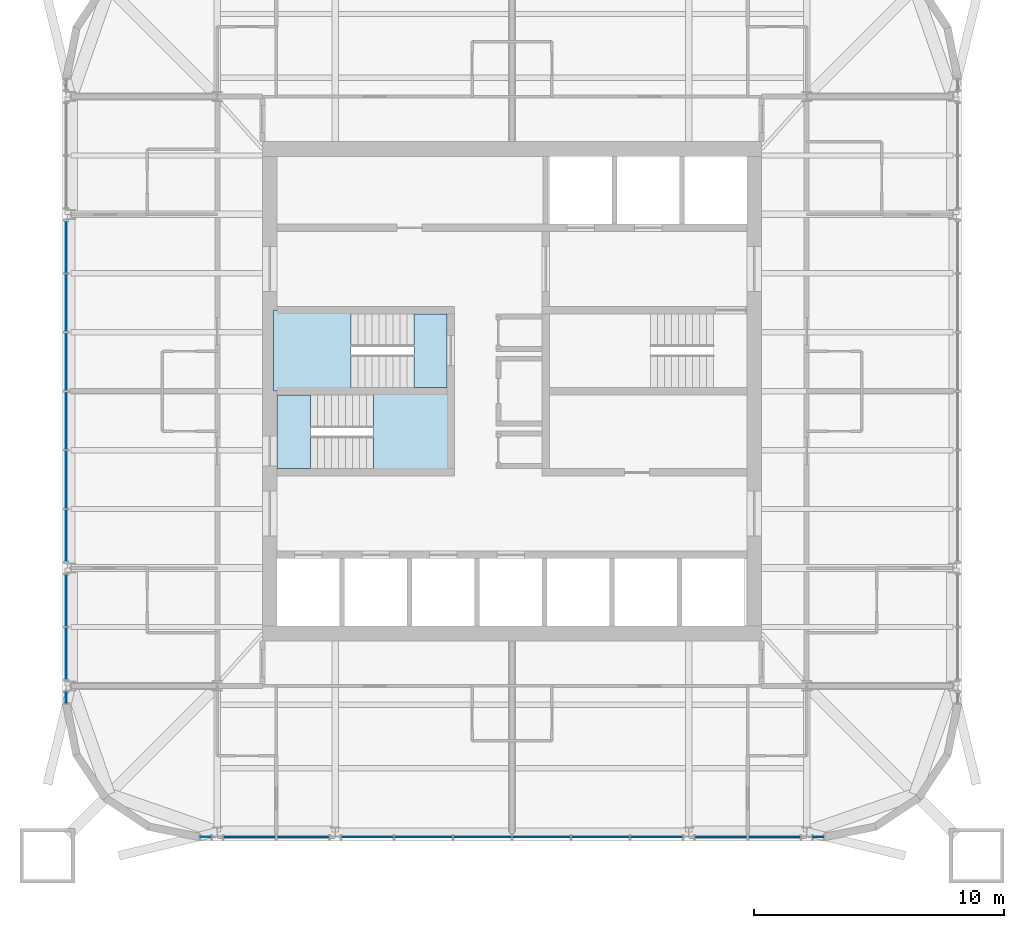
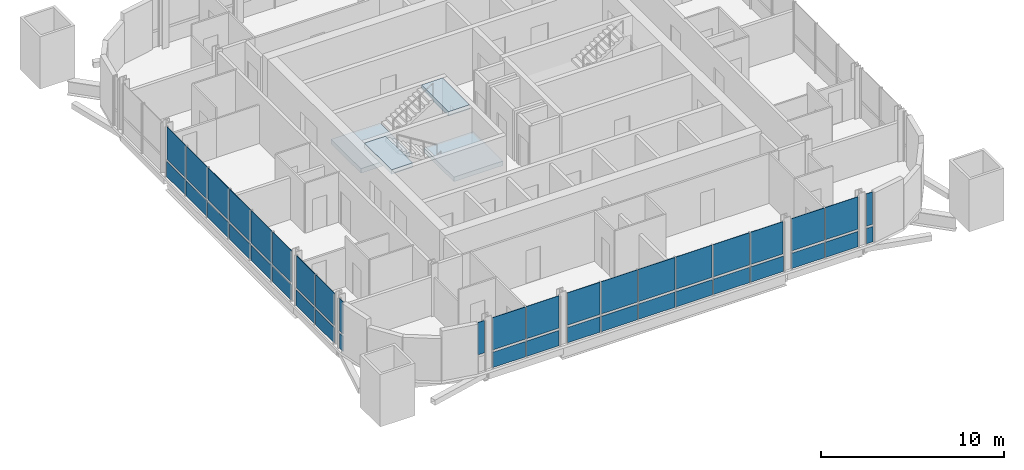
# One storey, part 7 of 16: 41 plates, 4 slabs, 10 elements without a shape of their own.
"""IFC4 building model written with IfcOpenShell, lengths in metres."""

from ifc_helpers import new_model, si_unit, direction, frame, origin, origin_2d, place, context, subcontext, project, spatial, polyline, rectangle, outline, extrude, material, layer, layer_set, type_object, element, aggregate, save


model = new_model("IFC4")

# Units and contexts
model_context = context("Model", 3, precision=1e-05, world=origin(), true_north=direction((0.0, 1.0)))
body_context = subcontext(model_context, "Body", "Model", "MODEL_VIEW")
ifc_project = project(units=[si_unit("LENGTHUNIT", "METRE"), si_unit("AREAUNIT", "SQUARE_METRE"), si_unit("VOLUMEUNIT", "CUBIC_METRE"), si_unit("PLANEANGLEUNIT", "RADIAN"), si_unit("MASSUNIT", "GRAM", prefix="KILO")], contexts=[model_context])

# Site, building, storey
site_placement = place(None, origin())
site = spatial("IfcSite", under=ifc_project, at=site_placement, CompositionType="ELEMENT")
building_placement = place(site_placement, origin())
building = spatial("IfcBuilding", under=site, at=building_placement, Name="Turquesa Mirador Hotel Tower", CompositionType="ELEMENT")
storey_placement = place(building_placement, frame((0.0, 0.0, 230.199951171875)))
storey = spatial("IfcBuildingStorey", under=building, at=storey_placement, Name="L62", CompositionType="ELEMENT", Elevation=230.199951171875)

# Curtain wall, plates
ifc_material_1 = material(Name="Aluminium extrusion", Category="aluminium")
curtain_wall_type = type_object("IfcCurtainWallType", Name="CW-4 SUITE FRITTED CURTAIN WALL", PredefinedType="USERDEFINED", material=ifc_material_1)
curtain_wall_1_placement = place(storey_placement, origin())
curtain_wall_1 = element("IfcCurtainWall", 1, at=curtain_wall_1_placement, inside=storey, type_object=curtain_wall_type, Name="CW-4 SUITE FRITTED CURTAIN WALL L62", ObjectType="CURTAIN WALL", PredefinedType="USERDEFINED")
ifc_material_2 = material(Name="Ceramic-printed spandrel glass on an insulated back pan", Category="glass")
ifc_layer_1 = layer(ifc_material_2, 0.050048828125)
ifc_layer_set_1 = layer_set([ifc_layer_1], Name="CW PANEL SPANDREL CERAMIC")
plate_type_1 = type_object("IfcPlateType", Name="CW PANEL SPANDREL CERAMIC", PredefinedType="CURTAIN_PANEL", material=ifc_layer_set_1)
plate_1_placement = place(storey_placement, frame((37.14990234375, 50.782958984375, 0.0), z_axis=(0.0, 0.0, 1.0), x_axis=(0.0, -1.0, 0.0)))
plate_1 = element("IfcPlate", 2, at=plate_1_placement, type_object=plate_type_1, Name="Panel", PredefinedType="CURTAIN_PANEL", context=body_context, shape_type="SweptSolid", body=[
    extrude(rectangle(XDim=2.06103515625, YDim=0.050048828125, at=origin_2d()), origin(), (0.0, 0.0, 1.0), 1.02490234375),
])
plate_2_placement = place(storey_placement, frame((37.14990234375, 48.5400390625, 0.0), z_axis=(0.0, 0.0, 1.0), x_axis=(0.0, -1.0, 0.0)))
plate_2 = element("IfcPlate", 3, at=plate_2_placement, type_object=plate_type_1, Name="Panel", PredefinedType="CURTAIN_PANEL", context=body_context, shape_type="SweptSolid", body=[
    extrude(rectangle(XDim=2.294921875, YDim=0.050048828125, at=origin_2d()), origin(), (0.0, 0.0, 1.0), 1.02490234375),
])
plate_3_placement = place(storey_placement, frame((37.14990234375, 46.179931640625, 0.0), z_axis=(0.0, 0.0, 1.0), x_axis=(0.0, -1.0, 0.0)))
plate_3 = element("IfcPlate", 4, at=plate_3_placement, type_object=plate_type_1, Name="Panel", PredefinedType="CURTAIN_PANEL", context=body_context, shape_type="SweptSolid", body=[
    extrude(rectangle(XDim=2.294921875, YDim=0.050048828125, at=origin_2d()), origin(), (0.0, 0.0, 1.0), 1.02490234375),
])
plate_4_placement = place(storey_placement, frame((37.14990234375, 43.820068359375, 0.0), z_axis=(0.0, 0.0, 1.0), x_axis=(0.0, -1.0, 0.0)))
plate_4 = element("IfcPlate", 5, at=plate_4_placement, type_object=plate_type_1, Name="Panel", PredefinedType="CURTAIN_PANEL", context=body_context, shape_type="SweptSolid", body=[
    extrude(rectangle(XDim=2.294921875, YDim=0.050048828125, at=origin_2d()), origin(), (0.0, 0.0, 1.0), 1.02490234375),
])
plate_5_placement = place(storey_placement, frame((37.14990234375, 41.4599609375, 0.0), z_axis=(0.0, 0.0, 1.0), x_axis=(0.0, -1.0, 0.0)))
plate_5 = element("IfcPlate", 6, at=plate_5_placement, type_object=plate_type_1, Name="Panel", PredefinedType="CURTAIN_PANEL", context=body_context, shape_type="SweptSolid", body=[
    extrude(rectangle(XDim=2.294921875, YDim=0.050048828125, at=origin_2d()), origin(), (0.0, 0.0, 1.0), 1.02490234375),
])
plate_6_placement = place(storey_placement, frame((37.14990234375, 39.217041015625, 0.0), z_axis=(0.0, 0.0, 1.0), x_axis=(0.0, -1.0, 0.0)))
plate_6 = element("IfcPlate", 7, at=plate_6_placement, type_object=plate_type_1, Name="Panel", PredefinedType="CURTAIN_PANEL", context=body_context, shape_type="SweptSolid", body=[
    extrude(rectangle(XDim=2.06103515625, YDim=0.050048828125, at=origin_2d()), origin(), (0.0, 0.0, 1.0), 1.02490234375),
])

curtain_wall_2_placement = place(storey_placement, origin())
curtain_wall_2 = element("IfcCurtainWall", 8, at=curtain_wall_2_placement, inside=storey, type_object=curtain_wall_type, Name="CW-4 SUITE FRITTED CURTAIN WALL L62", ObjectType="CURTAIN WALL", PredefinedType="USERDEFINED")
plate_7_placement = place(storey_placement, frame((37.14990234375, 36.623046875, 0.0), z_axis=(0.0, 0.0, 1.0), x_axis=(0.0, -1.0, 0.0)))
plate_7 = element("IfcPlate", 9, at=plate_7_placement, type_object=plate_type_1, Name="Panel", PredefinedType="CURTAIN_PANEL", context=body_context, shape_type="SweptSolid", body=[
    extrude(rectangle(XDim=2.06103515625, YDim=0.050048828125, at=origin_2d()), origin(), (0.0, 0.0, 1.0), 1.02490234375),
])
plate_8_placement = place(storey_placement, frame((37.14990234375, 34.496826171875, 0.0), z_axis=(0.0, 0.0, 1.0), x_axis=(0.0, -1.0, 0.0)))
plate_8 = element("IfcPlate", 10, at=plate_8_placement, type_object=plate_type_1, Name="Panel", PredefinedType="CURTAIN_PANEL", context=body_context, shape_type="SweptSolid", body=[
    extrude(rectangle(XDim=2.06103515625, YDim=0.050048828125, at=origin_2d()), origin(), (0.0, 0.0, 1.0), 1.02490234375),
])

# Curtain wall, plate
curtain_wall_3_placement = place(storey_placement, origin())
curtain_wall_3 = element("IfcCurtainWall", 11, at=curtain_wall_3_placement, inside=storey, type_object=curtain_wall_type, Name="CW-4 SUITE FRITTED CURTAIN WALL L62", ObjectType="CURTAIN WALL", PredefinedType="USERDEFINED")
plate_9_placement = place(storey_placement, frame((37.14990234375, 32.733154296875, 0.0), z_axis=(0.0, 0.0, 1.0), x_axis=(0.0, -1.0, 0.0)))
plate_9 = element("IfcPlate", 12, at=plate_9_placement, type_object=plate_type_1, Name="Panel", PredefinedType="CURTAIN_PANEL", context=body_context, shape_type="SweptSolid", body=[
    extrude(rectangle(XDim=0.401123046875, YDim=0.050048828125, at=origin_2d()), origin(), (0.0, 0.0, 1.0), 1.02490234375),
])

# Curtain wall, plates
curtain_wall_4_placement = place(storey_placement, origin())
curtain_wall_4 = element("IfcCurtainWall", 13, at=curtain_wall_4_placement, inside=storey, type_object=curtain_wall_type, Name="CW-4 SUITE FRITTED CURTAIN WALL L62", ObjectType="CURTAIN WALL", PredefinedType="USERDEFINED")
plate_10_placement = place(storey_placement, frame((44.496826171875, 27.14990234375, 0.0), z_axis=(0.0, 0.0, 1.0), x_axis=(1.0, 0.0, 0.0)))
plate_10 = element("IfcPlate", 14, at=plate_10_placement, type_object=plate_type_1, Name="Panel", PredefinedType="CURTAIN_PANEL", context=body_context, shape_type="SweptSolid", body=[
    extrude(rectangle(XDim=2.06103515625, YDim=0.050048828125, at=origin_2d()), origin(), (0.0, 0.0, 1.0), 1.02490234375),
])
plate_11_placement = place(storey_placement, frame((46.623046875, 27.14990234375, 0.0), z_axis=(0.0, 0.0, 1.0), x_axis=(1.0, 0.0, 0.0)))
plate_11 = element("IfcPlate", 15, at=plate_11_placement, type_object=plate_type_1, Name="Panel", PredefinedType="CURTAIN_PANEL", context=body_context, shape_type="SweptSolid", body=[
    extrude(rectangle(XDim=2.06103515625, YDim=0.050048828125, at=origin_2d()), origin(), (0.0, 0.0, 1.0), 1.02490234375),
])

curtain_wall_5_placement = place(storey_placement, origin())
curtain_wall_5 = element("IfcCurtainWall", 16, at=curtain_wall_5_placement, inside=storey, type_object=curtain_wall_type, Name="CW-4 SUITE FRITTED CURTAIN WALL L62", ObjectType="CURTAIN WALL", PredefinedType="USERDEFINED")
plate_12_placement = place(storey_placement, frame((49.217041015625, 27.14990234375, 0.0), z_axis=(0.0, 0.0, 1.0), x_axis=(1.0, 0.0, 0.0)))
plate_12 = element("IfcPlate", 17, at=plate_12_placement, type_object=plate_type_1, Name="Panel", PredefinedType="CURTAIN_PANEL", context=body_context, shape_type="SweptSolid", body=[
    extrude(rectangle(XDim=2.06103515625, YDim=0.050048828125, at=origin_2d()), origin(), (0.0, 0.0, 1.0), 1.02490234375),
])
plate_13_placement = place(storey_placement, frame((51.4599609375, 27.14990234375, 0.0), z_axis=(0.0, 0.0, 1.0), x_axis=(1.0, 0.0, 0.0)))
plate_13 = element("IfcPlate", 18, at=plate_13_placement, type_object=plate_type_1, Name="Panel", PredefinedType="CURTAIN_PANEL", context=body_context, shape_type="SweptSolid", body=[
    extrude(rectangle(XDim=2.294921875, YDim=0.050048828125, at=origin_2d()), origin(), (0.0, 0.0, 1.0), 1.02490234375),
])
plate_14_placement = place(storey_placement, frame((53.820068359375, 27.14990234375, 0.0), z_axis=(0.0, 0.0, 1.0), x_axis=(1.0, 0.0, 0.0)))
plate_14 = element("IfcPlate", 19, at=plate_14_placement, type_object=plate_type_1, Name="Panel", PredefinedType="CURTAIN_PANEL", context=body_context, shape_type="SweptSolid", body=[
    extrude(rectangle(XDim=2.294921875, YDim=0.050048828125, at=origin_2d()), origin(), (0.0, 0.0, 1.0), 1.02490234375),
])
plate_15_placement = place(storey_placement, frame((56.179931640625, 27.14990234375, 0.0), z_axis=(0.0, 0.0, 1.0), x_axis=(1.0, 0.0, 0.0)))
plate_15 = element("IfcPlate", 20, at=plate_15_placement, type_object=plate_type_1, Name="Panel", PredefinedType="CURTAIN_PANEL", context=body_context, shape_type="SweptSolid", body=[
    extrude(rectangle(XDim=2.294921875, YDim=0.050048828125, at=origin_2d()), origin(), (0.0, 0.0, 1.0), 1.02490234375),
])
plate_16_placement = place(storey_placement, frame((58.5400390625, 27.14990234375, 0.0), z_axis=(0.0, 0.0, 1.0), x_axis=(1.0, 0.0, 0.0)))
plate_16 = element("IfcPlate", 21, at=plate_16_placement, type_object=plate_type_1, Name="Panel", PredefinedType="CURTAIN_PANEL", context=body_context, shape_type="SweptSolid", body=[
    extrude(rectangle(XDim=2.294921875, YDim=0.050048828125, at=origin_2d()), origin(), (0.0, 0.0, 1.0), 1.02490234375),
])
plate_17_placement = place(storey_placement, frame((60.782958984375, 27.14990234375, 0.0), z_axis=(0.0, 0.0, 1.0), x_axis=(1.0, 0.0, 0.0)))
plate_17 = element("IfcPlate", 22, at=plate_17_placement, type_object=plate_type_1, Name="Panel", PredefinedType="CURTAIN_PANEL", context=body_context, shape_type="SweptSolid", body=[
    extrude(rectangle(XDim=2.06103515625, YDim=0.050048828125, at=origin_2d()), origin(), (0.0, 0.0, 1.0), 1.02490234375),
])

curtain_wall_6_placement = place(storey_placement, origin())
curtain_wall_6 = element("IfcCurtainWall", 23, at=curtain_wall_6_placement, inside=storey, type_object=curtain_wall_type, Name="CW-4 SUITE FRITTED CURTAIN WALL L62", ObjectType="CURTAIN WALL", PredefinedType="USERDEFINED")
plate_18_placement = place(storey_placement, frame((63.376953125, 27.14990234375, 0.0), z_axis=(0.0, 0.0, 1.0), x_axis=(1.0, 0.0, 0.0)))
plate_18 = element("IfcPlate", 24, at=plate_18_placement, type_object=plate_type_1, Name="Panel", PredefinedType="CURTAIN_PANEL", context=body_context, shape_type="SweptSolid", body=[
    extrude(rectangle(XDim=2.06103515625, YDim=0.050048828125, at=origin_2d()), origin(), (0.0, 0.0, 1.0), 1.02490234375),
])
plate_19_placement = place(storey_placement, frame((65.503173828125, 27.14990234375, 0.0), z_axis=(0.0, 0.0, 1.0), x_axis=(1.0, 0.0, 0.0)))
plate_19 = element("IfcPlate", 25, at=plate_19_placement, type_object=plate_type_1, Name="Panel", PredefinedType="CURTAIN_PANEL", context=body_context, shape_type="SweptSolid", body=[
    extrude(rectangle(XDim=2.06103515625, YDim=0.050048828125, at=origin_2d()), origin(), (0.0, 0.0, 1.0), 1.02490234375),
])

# Curtain wall, plate
curtain_wall_7_placement = place(storey_placement, origin())
curtain_wall_7 = element("IfcCurtainWall", 26, at=curtain_wall_7_placement, inside=storey, type_object=curtain_wall_type, Name="CW-4 SUITE FRITTED CURTAIN WALL L62", ObjectType="CURTAIN WALL", PredefinedType="USERDEFINED")
plate_20_placement = place(storey_placement, frame((67.266845703125, 27.14990234375, 0.0), z_axis=(0.0, 0.0, 1.0), x_axis=(1.0, 0.0, 0.0)))
plate_20 = element("IfcPlate", 27, at=plate_20_placement, type_object=plate_type_1, Name="Panel", PredefinedType="CURTAIN_PANEL", context=body_context, shape_type="SweptSolid", body=[
    extrude(rectangle(XDim=0.401123046875, YDim=0.050048828125, at=origin_2d()), origin(), (0.0, 0.0, 1.0), 1.02490234375),
])

# Plate
ifc_material_3 = material(Name="Ceramic-fritted laminated glass", Category="glass")
ifc_layer_2 = layer(ifc_material_3, 0.031982421875)
ifc_layer_set_2 = layer_set([ifc_layer_2], Name="CW PANEL VISION FRITTED")
plate_type_2 = type_object("IfcPlateType", Name="CW PANEL VISION FRITTED", PredefinedType="CURTAIN_PANEL", material=ifc_layer_set_2)
plate_21_placement = place(storey_placement, frame((37.14990234375, 50.782958984375, 1.1748046875), z_axis=(0.0, 0.0, 1.0), x_axis=(0.0, -1.0, 0.0)))
plate_21 = element("IfcPlate", 28, at=plate_21_placement, type_object=plate_type_2, Name="Panel", PredefinedType="CURTAIN_PANEL", context=body_context, shape_type="SweptSolid", body=[
    extrude(rectangle(XDim=2.06103515625, YDim=0.031982421875, at=origin_2d()), origin(), (0.0, 0.0, 1.0), 2.155029296875),
])

plate_22_placement = place(storey_placement, frame((37.14990234375, 48.5400390625, 1.1748046875), z_axis=(0.0, 0.0, 1.0), x_axis=(0.0, -1.0, 0.0)))
plate_22 = element("IfcPlate", 29, at=plate_22_placement, type_object=plate_type_2, Name="Panel", PredefinedType="CURTAIN_PANEL", context=body_context, shape_type="SweptSolid", body=[
    extrude(rectangle(XDim=2.294921875, YDim=0.031982421875, at=origin_2d()), origin(), (0.0, 0.0, 1.0), 2.155029296875),
])

plate_23_placement = place(storey_placement, frame((37.14990234375, 46.179931640625, 1.1748046875), z_axis=(0.0, 0.0, 1.0), x_axis=(0.0, -1.0, 0.0)))
plate_23 = element("IfcPlate", 30, at=plate_23_placement, type_object=plate_type_2, Name="Panel", PredefinedType="CURTAIN_PANEL", context=body_context, shape_type="SweptSolid", body=[
    extrude(rectangle(XDim=2.294921875, YDim=0.031982421875, at=origin_2d()), origin(), (0.0, 0.0, 1.0), 2.155029296875),
])

plate_24_placement = place(storey_placement, frame((37.14990234375, 43.820068359375, 1.1748046875), z_axis=(0.0, 0.0, 1.0), x_axis=(0.0, -1.0, 0.0)))
plate_24 = element("IfcPlate", 31, at=plate_24_placement, type_object=plate_type_2, Name="Panel", PredefinedType="CURTAIN_PANEL", context=body_context, shape_type="SweptSolid", body=[
    extrude(rectangle(XDim=2.294921875, YDim=0.031982421875, at=origin_2d()), origin(), (0.0, 0.0, 1.0), 2.155029296875),
])

plate_25_placement = place(storey_placement, frame((37.14990234375, 41.4599609375, 1.1748046875), z_axis=(0.0, 0.0, 1.0), x_axis=(0.0, -1.0, 0.0)))
plate_25 = element("IfcPlate", 32, at=plate_25_placement, type_object=plate_type_2, Name="Panel", PredefinedType="CURTAIN_PANEL", context=body_context, shape_type="SweptSolid", body=[
    extrude(rectangle(XDim=2.294921875, YDim=0.031982421875, at=origin_2d()), origin(), (0.0, 0.0, 1.0), 2.155029296875),
])

plate_26_placement = place(storey_placement, frame((37.14990234375, 39.217041015625, 1.1748046875), z_axis=(0.0, 0.0, 1.0), x_axis=(0.0, -1.0, 0.0)))
plate_26 = element("IfcPlate", 33, at=plate_26_placement, type_object=plate_type_2, Name="Panel", PredefinedType="CURTAIN_PANEL", context=body_context, shape_type="SweptSolid", body=[
    extrude(rectangle(XDim=2.06103515625, YDim=0.031982421875, at=origin_2d()), origin(), (0.0, 0.0, 1.0), 2.155029296875),
])

aggregate(curtain_wall_1, [plate_1, plate_21, plate_2, plate_22, plate_3, plate_23, plate_4, plate_24, plate_5, plate_25, plate_6, plate_26])

plate_27_placement = place(storey_placement, frame((37.14990234375, 36.623046875, 1.1748046875), z_axis=(0.0, 0.0, 1.0), x_axis=(0.0, -1.0, 0.0)))
plate_27 = element("IfcPlate", 34, at=plate_27_placement, type_object=plate_type_2, Name="Panel", PredefinedType="CURTAIN_PANEL", context=body_context, shape_type="SweptSolid", body=[
    extrude(rectangle(XDim=2.06103515625, YDim=0.031982421875, at=origin_2d()), origin(), (0.0, 0.0, 1.0), 2.155029296875),
])

plate_28_placement = place(storey_placement, frame((37.14990234375, 34.496826171875, 1.1748046875), z_axis=(0.0, 0.0, 1.0), x_axis=(0.0, -1.0, 0.0)))
plate_28 = element("IfcPlate", 35, at=plate_28_placement, type_object=plate_type_2, Name="Panel", PredefinedType="CURTAIN_PANEL", context=body_context, shape_type="SweptSolid", body=[
    extrude(rectangle(XDim=2.06103515625, YDim=0.031982421875, at=origin_2d()), origin(), (0.0, 0.0, 1.0), 2.155029296875),
])

aggregate(curtain_wall_2, [plate_7, plate_27, plate_8, plate_28])

plate_29_placement = place(storey_placement, frame((37.14990234375, 32.733154296875, 1.1748046875), z_axis=(0.0, 0.0, 1.0), x_axis=(0.0, -1.0, 0.0)))
plate_29 = element("IfcPlate", 36, at=plate_29_placement, type_object=plate_type_2, Name="Panel", PredefinedType="CURTAIN_PANEL", context=body_context, shape_type="SweptSolid", body=[
    extrude(rectangle(XDim=0.401123046875, YDim=0.031982421875, at=origin_2d()), origin(), (0.0, 0.0, 1.0), 2.155029296875),
])

aggregate(curtain_wall_3, [plate_9, plate_29])

# Curtain wall, plate
curtain_wall_8_placement = place(storey_placement, origin())
curtain_wall_8 = element("IfcCurtainWall", 37, at=curtain_wall_8_placement, inside=storey, type_object=curtain_wall_type, Name="CW-4 SUITE FRITTED CURTAIN WALL L62", ObjectType="CURTAIN WALL", PredefinedType="USERDEFINED")
plate_30_placement = place(storey_placement, frame((42.733154296875, 27.14990234375, 1.1748046875), z_axis=(0.0, 0.0, 1.0), x_axis=(1.0, 0.0, 0.0)))
plate_30 = element("IfcPlate", 38, at=plate_30_placement, type_object=plate_type_2, Name="Panel", PredefinedType="CURTAIN_PANEL", context=body_context, shape_type="SweptSolid", body=[
    extrude(rectangle(XDim=0.401123046875, YDim=0.031982421875, at=origin_2d()), origin(), (0.0, 0.0, 1.0), 2.155029296875),
])
aggregate(curtain_wall_8, [plate_30])

# Plate
plate_31_placement = place(storey_placement, frame((44.496826171875, 27.14990234375, 1.1748046875), z_axis=(0.0, 0.0, 1.0), x_axis=(1.0, 0.0, 0.0)))
plate_31 = element("IfcPlate", 39, at=plate_31_placement, type_object=plate_type_2, Name="Panel", PredefinedType="CURTAIN_PANEL", context=body_context, shape_type="SweptSolid", body=[
    extrude(rectangle(XDim=2.06103515625, YDim=0.031982421875, at=origin_2d()), origin(), (0.0, 0.0, 1.0), 2.155029296875),
])

plate_32_placement = place(storey_placement, frame((46.623046875, 27.14990234375, 1.1748046875), z_axis=(0.0, 0.0, 1.0), x_axis=(1.0, 0.0, 0.0)))
plate_32 = element("IfcPlate", 40, at=plate_32_placement, type_object=plate_type_2, Name="Panel", PredefinedType="CURTAIN_PANEL", context=body_context, shape_type="SweptSolid", body=[
    extrude(rectangle(XDim=2.06103515625, YDim=0.031982421875, at=origin_2d()), origin(), (0.0, 0.0, 1.0), 2.155029296875),
])

aggregate(curtain_wall_4, [plate_10, plate_31, plate_11, plate_32])

plate_33_placement = place(storey_placement, frame((49.217041015625, 27.14990234375, 1.1748046875), z_axis=(0.0, 0.0, 1.0), x_axis=(1.0, 0.0, 0.0)))
plate_33 = element("IfcPlate", 41, at=plate_33_placement, type_object=plate_type_2, Name="Panel", PredefinedType="CURTAIN_PANEL", context=body_context, shape_type="SweptSolid", body=[
    extrude(rectangle(XDim=2.06103515625, YDim=0.031982421875, at=origin_2d()), origin(), (0.0, 0.0, 1.0), 2.155029296875),
])

plate_34_placement = place(storey_placement, frame((51.4599609375, 27.14990234375, 1.1748046875), z_axis=(0.0, 0.0, 1.0), x_axis=(1.0, 0.0, 0.0)))
plate_34 = element("IfcPlate", 42, at=plate_34_placement, type_object=plate_type_2, Name="Panel", PredefinedType="CURTAIN_PANEL", context=body_context, shape_type="SweptSolid", body=[
    extrude(rectangle(XDim=2.294921875, YDim=0.031982421875, at=origin_2d()), origin(), (0.0, 0.0, 1.0), 2.155029296875),
])

plate_35_placement = place(storey_placement, frame((53.820068359375, 27.14990234375, 1.1748046875), z_axis=(0.0, 0.0, 1.0), x_axis=(1.0, 0.0, 0.0)))
plate_35 = element("IfcPlate", 43, at=plate_35_placement, type_object=plate_type_2, Name="Panel", PredefinedType="CURTAIN_PANEL", context=body_context, shape_type="SweptSolid", body=[
    extrude(rectangle(XDim=2.294921875, YDim=0.031982421875, at=origin_2d()), origin(), (0.0, 0.0, 1.0), 2.155029296875),
])

plate_36_placement = place(storey_placement, frame((56.179931640625, 27.14990234375, 1.1748046875), z_axis=(0.0, 0.0, 1.0), x_axis=(1.0, 0.0, 0.0)))
plate_36 = element("IfcPlate", 44, at=plate_36_placement, type_object=plate_type_2, Name="Panel", PredefinedType="CURTAIN_PANEL", context=body_context, shape_type="SweptSolid", body=[
    extrude(rectangle(XDim=2.294921875, YDim=0.031982421875, at=origin_2d()), origin(), (0.0, 0.0, 1.0), 2.155029296875),
])

plate_37_placement = place(storey_placement, frame((58.5400390625, 27.14990234375, 1.1748046875), z_axis=(0.0, 0.0, 1.0), x_axis=(1.0, 0.0, 0.0)))
plate_37 = element("IfcPlate", 45, at=plate_37_placement, type_object=plate_type_2, Name="Panel", PredefinedType="CURTAIN_PANEL", context=body_context, shape_type="SweptSolid", body=[
    extrude(rectangle(XDim=2.294921875, YDim=0.031982421875, at=origin_2d()), origin(), (0.0, 0.0, 1.0), 2.155029296875),
])

plate_38_placement = place(storey_placement, frame((60.782958984375, 27.14990234375, 1.1748046875), z_axis=(0.0, 0.0, 1.0), x_axis=(1.0, 0.0, 0.0)))
plate_38 = element("IfcPlate", 46, at=plate_38_placement, type_object=plate_type_2, Name="Panel", PredefinedType="CURTAIN_PANEL", context=body_context, shape_type="SweptSolid", body=[
    extrude(rectangle(XDim=2.06103515625, YDim=0.031982421875, at=origin_2d()), origin(), (0.0, 0.0, 1.0), 2.155029296875),
])

aggregate(curtain_wall_5, [plate_12, plate_33, plate_13, plate_34, plate_14, plate_35, plate_15, plate_36, plate_16, plate_37, plate_17, plate_38])

plate_39_placement = place(storey_placement, frame((63.376953125, 27.14990234375, 1.1748046875), z_axis=(0.0, 0.0, 1.0), x_axis=(1.0, 0.0, 0.0)))
plate_39 = element("IfcPlate", 47, at=plate_39_placement, type_object=plate_type_2, Name="Panel", PredefinedType="CURTAIN_PANEL", context=body_context, shape_type="SweptSolid", body=[
    extrude(rectangle(XDim=2.06103515625, YDim=0.031982421875, at=origin_2d()), origin(), (0.0, 0.0, 1.0), 2.155029296875),
])

plate_40_placement = place(storey_placement, frame((65.503173828125, 27.14990234375, 1.1748046875), z_axis=(0.0, 0.0, 1.0), x_axis=(1.0, 0.0, 0.0)))
plate_40 = element("IfcPlate", 48, at=plate_40_placement, type_object=plate_type_2, Name="Panel", PredefinedType="CURTAIN_PANEL", context=body_context, shape_type="SweptSolid", body=[
    extrude(rectangle(XDim=2.06103515625, YDim=0.031982421875, at=origin_2d()), origin(), (0.0, 0.0, 1.0), 2.155029296875),
])

aggregate(curtain_wall_6, [plate_18, plate_39, plate_19, plate_40])

plate_41_placement = place(storey_placement, frame((67.266845703125, 27.14990234375, 1.1748046875), z_axis=(0.0, 0.0, 1.0), x_axis=(1.0, 0.0, 0.0)))
plate_41 = element("IfcPlate", 49, at=plate_41_placement, type_object=plate_type_2, Name="Panel", PredefinedType="CURTAIN_PANEL", context=body_context, shape_type="SweptSolid", body=[
    extrude(rectangle(XDim=0.401123046875, YDim=0.031982421875, at=origin_2d()), origin(), (0.0, 0.0, 1.0), 2.155029296875),
])

aggregate(curtain_wall_7, [plate_20, plate_41])

# Stair, slabs
ifc_material_4 = material(Name="Concrete C35/45", Category="concrete")
stair_type = type_object("IfcStairType", Name="ESCAPE STAIR CORE", PredefinedType="HALF_TURN_STAIR", material=ifc_material_4)
stair_1_placement = place(storey_placement, origin())
stair_1 = element("IfcStair", 50, at=stair_1_placement, inside=storey, type_object=stair_type, Name="Stair ST1 L62 to L63", PredefinedType="HALF_TURN_STAIR")
ifc_material_5 = material(Name="Concrete C35/45", Category="concrete")
ifc_layer_3 = layer(ifc_material_5, 0.300048828125)
ifc_layer_set_3 = layer_set([ifc_layer_3], Name="STAIR LANDING 300")
slab_type = type_object("IfcSlabType", Name="STAIR LANDING 300", PredefinedType="LANDING", material=ifc_layer_set_3)
slab_1_placement = place(storey_placement, frame((0.0, 0.0, 1.449951171875)))
slab_1 = element("IfcSlab", 51, at=slab_1_placement, type_object=slab_type, Name="ST1 landing 1", PredefinedType="LANDING", context=body_context, shape_type="SweptSolid", body=[
    extrude(outline(polyline([(45.449951171875, 45.0), (48.550048828125, 45.0), (48.550048828125, 48.25), (45.449951171875, 48.25), (45.449951171875, 45.0)])), origin(), (0.0, 0.0, 1.0), 0.300048828125),
])
slab_2_placement = place(storey_placement, frame((0.0, 0.0, 3.199951171875)))
slab_2 = element("IfcSlab", 52, at=slab_2_placement, type_object=slab_type, Name="ST1 landing 2", PredefinedType="LANDING", context=body_context, shape_type="SweptSolid", body=[
    extrude(outline(polyline([(51.070068359375, 45.14990234375), (52.39990234375, 45.14990234375), (52.39990234375, 48.10009765625), (51.070068359375, 48.10009765625), (51.070068359375, 45.14990234375)])), origin(), (0.0, 0.0, 1.0), 0.300048828125),
])
aggregate(stair_1, [slab_1, slab_2])

stair_2_placement = place(storey_placement, origin())
stair_2 = element("IfcStair", 53, at=stair_2_placement, inside=storey, type_object=stair_type, Name="Stair ST2 L62 to L63", PredefinedType="HALF_TURN_STAIR")
slab_3_placement = place(storey_placement, frame((0.0, 0.0, 1.449951171875)))
slab_3 = element("IfcSlab", 54, at=slab_3_placement, type_object=slab_type, Name="ST2 landing 1", PredefinedType="LANDING", context=body_context, shape_type="SweptSolid", body=[
    extrude(outline(polyline([(52.550048828125, 45.0), (49.449951171875, 45.0), (49.449951171875, 41.75), (52.550048828125, 41.75), (52.550048828125, 45.0)])), origin(), (0.0, 0.0, 1.0), 0.300048828125),
])
slab_4_placement = place(storey_placement, frame((0.0, 0.0, 3.199951171875)))
slab_4 = element("IfcSlab", 55, at=slab_4_placement, type_object=slab_type, Name="ST2 landing 2", PredefinedType="LANDING", context=body_context, shape_type="SweptSolid", body=[
    extrude(outline(polyline([(46.929931640625, 44.85009765625), (45.60009765625, 44.85009765625), (45.60009765625, 41.89990234375), (46.929931640625, 41.89990234375), (46.929931640625, 44.85009765625)])), origin(), (0.0, 0.0, 1.0), 0.300048828125),
])
aggregate(stair_2, [slab_3, slab_4])

save(model, "model.ifc")
